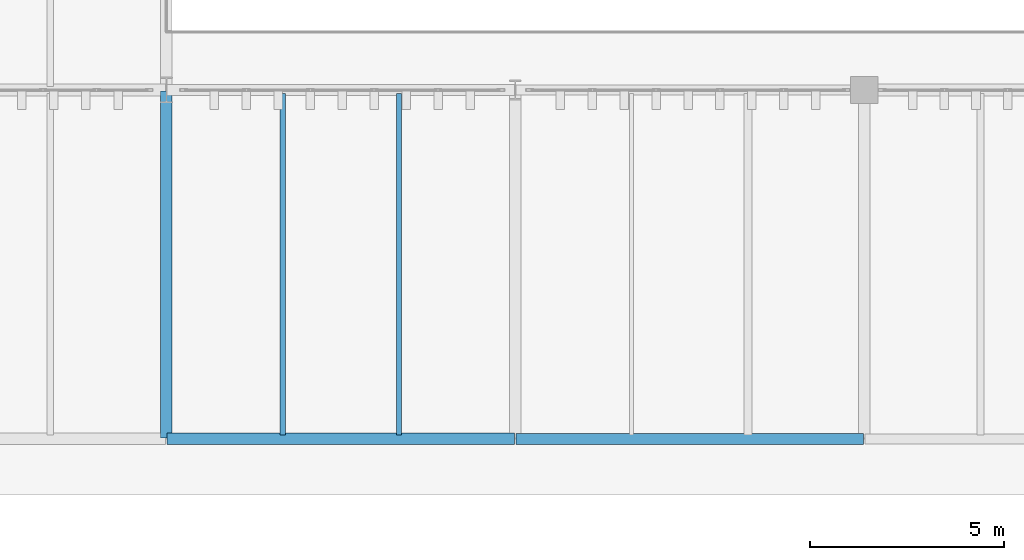
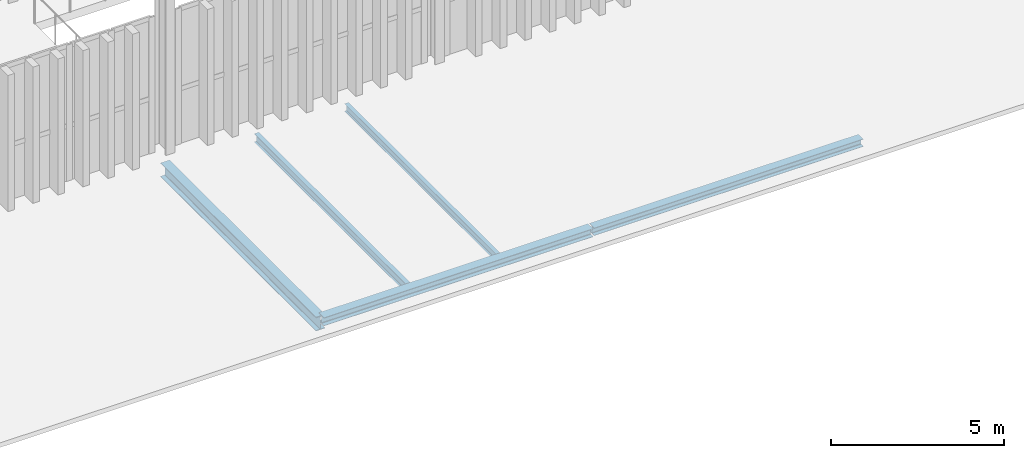
# One storey, part 63 of 211: 5 beams.
"""IFC4 building model written with IfcOpenShell, lengths in metres."""

import ifcopenshell
import ifcopenshell.guid

model = None  # the IFC model being written
_history = None  # IfcOwnerHistory: only IFC2X3 demands one
_inside = {}  # id of a spatial element -> (the spatial element, [elements in it])
_under = {}  # id of a project, library or spatial element -> (it, [spatial elements below it])
_declared = {}  # id of a project -> (the project, [libraries it declares])
_typed = {}  # id of a type object -> (the type object, [elements of that type])
_made_of = {}  # id of a material, layer set ... -> (it, [elements and type objects made of it])


def new_model(schema):
    """Start an empty IFC model of exactly this schema.

    Asked for "IFC4X3", IfcOpenShell would pick the latest addendum, in which some entities
    have other attributes; the version numbers below select the first issue.
    IFC2X3 requires an IfcOwnerHistory on every rooted entity: one is made here for all.
    """
    global model, _history
    if schema == "IFC4X3":
        model = ifcopenshell.file(schema_version=(4, 3, 0, 0))
    else:
        model = ifcopenshell.file(schema=schema)
    _inside.clear()
    _under.clear()
    _declared.clear()
    _typed.clear()
    _made_of.clear()
    _history = None
    if model.schema == "IFC2X3":
        org = make("IfcOrganization", Name="unknown")
        user = make(
            "IfcPersonAndOrganization",
            ThePerson=make("IfcPerson", FamilyName="unknown"),
            TheOrganization=org,
        )
        app = make(
            "IfcApplication",
            ApplicationDeveloper=org,
            Version="unknown",
            ApplicationFullName="unknown",
            ApplicationIdentifier="unknown",
        )
        _history = make(
            "IfcOwnerHistory",
            OwningUser=user,
            OwningApplication=app,
            ChangeAction="ADDED",
            CreationDate=0,
        )
    return model


def make(cls, **values):
    """One entity of the class cls with the attributes given. An attribute that is None is left unset."""
    return model.create_entity(
        cls, **{name: value for name, value in values.items() if value is not None}
    )


def rooted(cls, **values):
    """An entity with a GlobalId (a new one), such as an element, a storey or a relation."""
    return make(cls, GlobalId=ifcopenshell.guid.new(), OwnerHistory=_history, **values)


def si_unit(unit_type, name, prefix=None):
    """IfcSIUnit, for example si_unit("LENGTHUNIT", "METRE", prefix="MILLI")."""
    return make("IfcSIUnit", UnitType=unit_type, Prefix=prefix, Name=name)


def assignment(units):
    """IfcUnitAssignment: the units of a project."""
    return None if units is None else make("IfcUnitAssignment", Units=units)


def point(xyz):
    """IfcCartesianPoint."""
    return None if xyz is None else make("IfcCartesianPoint", Coordinates=xyz)


def direction(xyz):
    """IfcDirection."""
    return None if xyz is None else make("IfcDirection", DirectionRatios=xyz)


def frame(location, z_axis=None, x_axis=None):
    """IfcAxis2Placement3D, a coordinate frame: its origin and axes. An axis left out is left unset."""
    return make(
        "IfcAxis2Placement3D",
        Location=point(location),
        Axis=direction(z_axis),
        RefDirection=direction(x_axis),
    )


def frame_2d(location, x_axis=None):
    """IfcAxis2Placement2D, a coordinate frame in the plane: its origin and x axis."""
    return make(
        "IfcAxis2Placement2D", Location=point(location), RefDirection=direction(x_axis)
    )


def origin():
    """The frame at (0, 0, 0) with its axes left unset."""
    return frame((0.0, 0.0, 0.0))


def origin_2d():
    """The frame at (0, 0) in the plane with its x axis left unset."""
    return frame_2d((0.0, 0.0))


def place(relative_to, where):
    """IfcLocalPlacement: puts the frame where relative to a parent placement (None: the world)."""
    return make(
        "IfcLocalPlacement", PlacementRelTo=relative_to, RelativePlacement=where
    )


def context(
    kind, dimensions, precision=None, world=None, true_north=None, identifier=None
):
    """IfcGeometricRepresentationContext, for example the 3D "Model" context."""
    return make(
        "IfcGeometricRepresentationContext",
        ContextIdentifier=identifier,
        ContextType=kind,
        CoordinateSpaceDimension=dimensions,
        Precision=precision,
        WorldCoordinateSystem=world,
        TrueNorth=true_north,
    )


def subcontext(parent, identifier, kind, view, scale=None):
    """IfcGeometricRepresentationSubContext, for example "Body" below "Model"."""
    return make(
        "IfcGeometricRepresentationSubContext",
        ContextIdentifier=identifier,
        ContextType=kind,
        ParentContext=parent,
        TargetScale=scale,
        TargetView=view,
    )


def project(units=None, contexts=None):
    """IfcProject with its units and contexts."""
    return rooted(
        "IfcProject",
        Name="project",
        RepresentationContexts=contexts,
        UnitsInContext=assignment(units),
    )


def spatial(cls, under=None, at=None, **own):
    """A site, building, storey or space (cls), placed at a placement, below another one or the project."""
    s = rooted(cls, ObjectPlacement=at, **own)
    if under is not None:
        _under.setdefault(under.id(), (under, []))[1].append(s)
    return s


def profile(cls, at=None, kind="AREA", **sizes):
    """A parametric profile (cls). Its sizes go by their IFC names, for example OverallWidth=200.0."""
    return make(cls, ProfileType=kind, Position=at, **sizes)


def i_section(**sizes):
    """IfcIShapeProfileDef."""
    return profile("IfcIShapeProfileDef", **sizes)


def extrude(swept, where, along, depth):
    """IfcExtrudedAreaSolid: the profile swept, set in the frame where, extruded along a direction by depth."""
    return make(
        "IfcExtrudedAreaSolid",
        SweptArea=swept,
        Position=where,
        ExtrudedDirection=direction(along),
        Depth=depth,
    )


def shape(context_of_items, identifier, shape_type, items):
    """IfcShapeRepresentation: the items that make up one representation, for example the "Body"."""
    return make(
        "IfcShapeRepresentation",
        ContextOfItems=context_of_items,
        RepresentationIdentifier=identifier,
        RepresentationType=shape_type,
        Items=items,
    )


def material(Name=None, Category=None):
    """IfcMaterial."""
    return make("IfcMaterial", Name=Name, Category=Category)


def material_profile(
    of_material, cross_section, Name=None, Category=None, Priority=None
):
    """IfcMaterialProfile: a cross section and its material."""
    return make(
        "IfcMaterialProfile",
        Name=Name,
        Material=of_material,
        Profile=cross_section,
        Priority=Priority,
        Category=Category,
    )


def profile_set(profiles, Name=None, composite=None):
    """IfcMaterialProfileSet."""
    return make(
        "IfcMaterialProfileSet",
        Name=Name,
        MaterialProfiles=profiles,
        CompositeProfile=composite,
    )


def made_of(thing, what):
    """Note that an element or type object is made of a material, layer set ...; save() writes the relation."""
    if what is not None:
        _made_of.setdefault(what.id(), (what, []))[1].append(thing)
    return thing


def type_object(cls, material=None, **own):
    """A type object (cls), such as IfcWallType, which elements share."""
    return made_of(rooted(cls, **own), material)


def element(
    cls,
    number,
    at=None,
    inside=None,
    cuts=None,
    type_object=None,
    material=None,
    context=None,
    identifier="Body",
    shape_type=None,
    held_by="IfcProductDefinitionShape",
    body=None,
    shapes=None,
    **own,
):
    """One element of the class cls, such as IfcWall. Its Tag is "e" and its number.

    at: its placement. inside: the storey or other place that contains it. cuts: it is an
    opening in that element (IfcRelVoidsElement). A single representation is given by context,
    identifier, shape_type and body (its items); several are given by shapes. held_by: the class
    of the entity that holds the representations. save() writes the other relations.
    """
    e = rooted(cls, Tag="e%d" % number, ObjectPlacement=at, **own)
    if body is not None:
        shapes = [shape(context, identifier, shape_type, body)]
    if shapes is not None:
        e.Representation = make(held_by, Representations=shapes)
    if inside is not None:
        _inside.setdefault(inside.id(), (inside, []))[1].append(e)
    if cuts is not None:
        rooted(
            "IfcRelVoidsElement", RelatingBuildingElement=cuts, RelatedOpeningElement=e
        )
    if type_object is not None:
        _typed.setdefault(type_object.id(), (type_object, []))[1].append(e)
    return made_of(e, material)


def aggregate(whole, parts):
    """IfcRelAggregates: a whole, such as a stair, and the parts it consists of."""
    return rooted("IfcRelAggregates", RelatingObject=whole, RelatedObjects=parts)


def save(model, path):
    """Write the relations noted so far, then the file.

    IfcRelAggregates (storeys below a building ...), IfcRelContainedInSpatialStructure (elements
    in a storey), IfcRelDefinesByType, IfcRelAssociatesMaterial and IfcRelDeclares: one each for
    every whole, place, type object, material and project.
    """
    for whole, parts in _under.values():
        aggregate(whole, parts)
    for where, things in _inside.values():
        rooted(
            "IfcRelContainedInSpatialStructure",
            RelatedElements=things,
            RelatingStructure=where,
        )
    for kind, things in _typed.values():
        rooted("IfcRelDefinesByType", RelatedObjects=things, RelatingType=kind)
    for what, things in _made_of.values():
        rooted("IfcRelAssociatesMaterial", RelatedObjects=things, RelatingMaterial=what)
    for by, libraries in _declared.values():
        rooted("IfcRelDeclares", RelatingContext=by, RelatedDefinitions=libraries)
    model.write(path)


model = new_model("IFC4")

# Units and contexts
model_context = context("Model", 3, precision=1e-05, world=origin(), true_north=direction((0.0, 1.0)))
body_context = subcontext(model_context, "Body", "Model", "MODEL_VIEW")
ifc_project = project(units=[si_unit("LENGTHUNIT", "METRE"), si_unit("AREAUNIT", "SQUARE_METRE"), si_unit("VOLUMEUNIT", "CUBIC_METRE"), si_unit("PLANEANGLEUNIT", "RADIAN"), si_unit("MASSUNIT", "GRAM", prefix="KILO")], contexts=[model_context])

# Site, building, storey
site_placement = place(None, origin())
site = spatial("IfcSite", under=ifc_project, at=site_placement, CompositionType="ELEMENT")
building_placement = place(site_placement, origin())
building = spatial("IfcBuilding", under=site, at=building_placement, Name="Barlavento Convention Centre", CompositionType="ELEMENT")
storey_placement = place(building_placement, frame((0.0, 0.0, 6.0)))
storey = spatial("IfcBuildingStorey", under=building, at=storey_placement, Name="L01", CompositionType="ELEMENT", Elevation=6.0)

# Beams
ifc_material = material(Name="Steel S355", Category="steel")
ifc_material_profile_1 = material_profile(ifc_material, i_section(OverallWidth=0.135009765625, OverallDepth=0.27001953125, WebThickness=0.006591796875, FlangeThickness=0.01025390625, FilletRadius=0.014892578125, at=origin_2d()), Name="IPE 270")
ifc_profile_set_1 = profile_set([ifc_material_profile_1], Name="Steel S355")
beam_type_1 = type_object("IfcBeamType", Name="STR-BM-JST-IPE270", PredefinedType="JOIST", material=ifc_profile_set_1)
beam_1_placement = place(storey_placement, frame((87.0, 36.094970703125, -0.425048828125), z_axis=(0.0, 1.0, 0.0), x_axis=(-1.0, 0.0, 0.0)))
element("IfcBeam", 1, at=beam_1_placement, inside=storey, type_object=beam_type_1, Name="L01 composite floor joist SJ08", PredefinedType="JOIST", context=body_context, shape_type="SweptSolid", body=[
    extrude(i_section(OverallWidth=0.135009765625, OverallDepth=0.27001953125, WebThickness=0.006591796875, FlangeThickness=0.01025390625, FilletRadius=0.014892578125, at=origin_2d()), origin(), (0.0, 0.0, 1.0), 8.81005859375),
])
ifc_material_profile_2 = material_profile(ifc_material, i_section(OverallWidth=0.14990234375, OverallDepth=0.300048828125, WebThickness=0.007080078125, FlangeThickness=0.0107421875, FilletRadius=0.014892578125, at=origin_2d()), Name="IPE 300")
ifc_profile_set_2 = profile_set([ifc_material_profile_2], Name="Steel S355")
beam_type_2 = type_object("IfcBeamType", Name="STR-BM-JST-IPE300", PredefinedType="JOIST", material=ifc_profile_set_2)
beam_2_placement = place(storey_placement, frame((84.0, 36.094970703125, -0.43994140625), z_axis=(0.0, 1.0, 0.0), x_axis=(-1.0, 0.0, 0.0)))
element("IfcBeam", 2, at=beam_2_placement, inside=storey, type_object=beam_type_2, Name="L01 composite floor joist SJ07", PredefinedType="JOIST", context=body_context, shape_type="SweptSolid", body=[
    extrude(i_section(OverallWidth=0.14990234375, OverallDepth=0.300048828125, WebThickness=0.007080078125, FlangeThickness=0.0107421875, FilletRadius=0.014892578125, at=origin_2d()), origin(), (0.0, 0.0, 1.0), 8.81005859375),
])
ifc_material_profile_3 = material_profile(ifc_material, i_section(OverallWidth=0.300048828125, OverallDepth=0.489990234375, WebThickness=0.011962890625, FlangeThickness=0.02294921875, FilletRadius=0.027099609375, at=origin_2d()), Name="HEA 500")
ifc_profile_set_3 = profile_set([ifc_material_profile_3], Name="Steel S355")
beam_type_3 = type_object("IfcBeamType", Name="STR-BM-PRI-HEA500", PredefinedType="BEAM", material=ifc_profile_set_3)
beam_3_placement = place(storey_placement, frame((81.0, 36.02001953125, -0.534912109375), z_axis=(0.0, 1.0, 0.0), x_axis=(-1.0, 0.0, 0.0)))
element("IfcBeam", 3, at=beam_3_placement, inside=storey, type_object=beam_type_3, Name="L01 grid girder BG20", PredefinedType="BEAM", context=body_context, shape_type="SweptSolid", body=[
    extrude(i_section(OverallWidth=0.300048828125, OverallDepth=0.489990234375, WebThickness=0.011962890625, FlangeThickness=0.02294921875, FilletRadius=0.027099609375, at=origin_2d()), origin(), (0.0, 0.0, 1.0), 8.9599609375),
])
ifc_material_profile_4 = material_profile(ifc_material, i_section(OverallWidth=0.280029296875, OverallDepth=0.27001953125, WebThickness=0.008056640625, FlangeThickness=0.012939453125, FilletRadius=0.02392578125, at=origin_2d()), Name="HEA 280")
ifc_profile_set_4 = profile_set([ifc_material_profile_4], Name="Steel S355")
beam_type_4 = type_object("IfcBeamType", Name="STR-BM-SPN-HEA280", PredefinedType="SPANDREL", material=ifc_profile_set_4)
beam_4_placement = place(storey_placement, frame((90.02001953125, 36.0, -0.39990234375), z_axis=(1.0, 0.0, 0.0), x_axis=(0.0, 1.0, 0.0)))
element("IfcBeam", 4, at=beam_4_placement, inside=storey, type_object=beam_type_4, Name="L01 primary girder SP03", PredefinedType="SPANDREL", context=body_context, shape_type="SweptSolid", body=[
    extrude(i_section(OverallWidth=0.280029296875, OverallDepth=0.27001953125, WebThickness=0.008056640625, FlangeThickness=0.012939453125, FilletRadius=0.02392578125, at=origin_2d()), origin(), (0.0, 0.0, 1.0), 8.9599609375),
])
ifc_material_profile_5 = material_profile(ifc_material, i_section(OverallWidth=0.300048828125, OverallDepth=0.2900390625, WebThickness=0.008544921875, FlangeThickness=0.013916015625, FilletRadius=0.027099609375, at=origin_2d()), Name="HEA 300")
ifc_profile_set_5 = profile_set([ifc_material_profile_5], Name="Steel S355")
beam_type_5 = type_object("IfcBeamType", Name="STR-BM-SPN-HEA300", PredefinedType="SPANDREL", material=ifc_profile_set_5)
beam_5_placement = place(storey_placement, frame((81.02001953125, 36.0, -0.409912109375), z_axis=(1.0, 0.0, 0.0), x_axis=(0.0, 1.0, 0.0)))
element("IfcBeam", 5, at=beam_5_placement, inside=storey, type_object=beam_type_5, Name="L01 primary girder SP02", PredefinedType="SPANDREL", context=body_context, shape_type="SweptSolid", body=[
    extrude(i_section(OverallWidth=0.300048828125, OverallDepth=0.2900390625, WebThickness=0.008544921875, FlangeThickness=0.013916015625, FilletRadius=0.027099609375, at=origin_2d()), origin(), (0.0, 0.0, 1.0), 8.9599609375),
])

save(model, "model.ifc")
